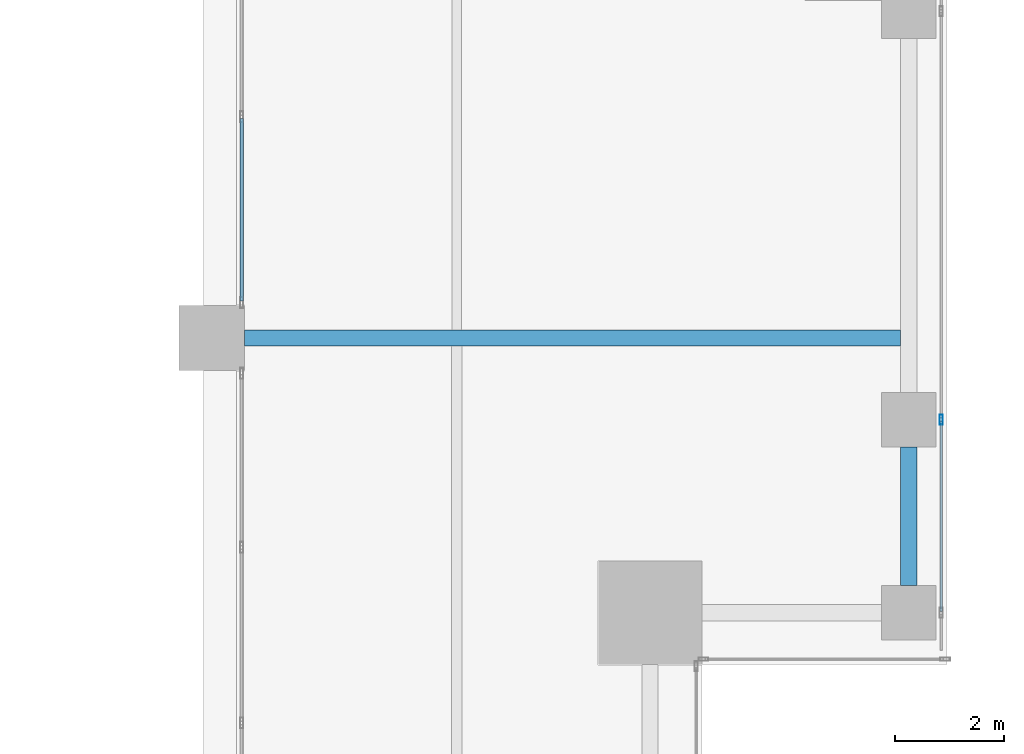
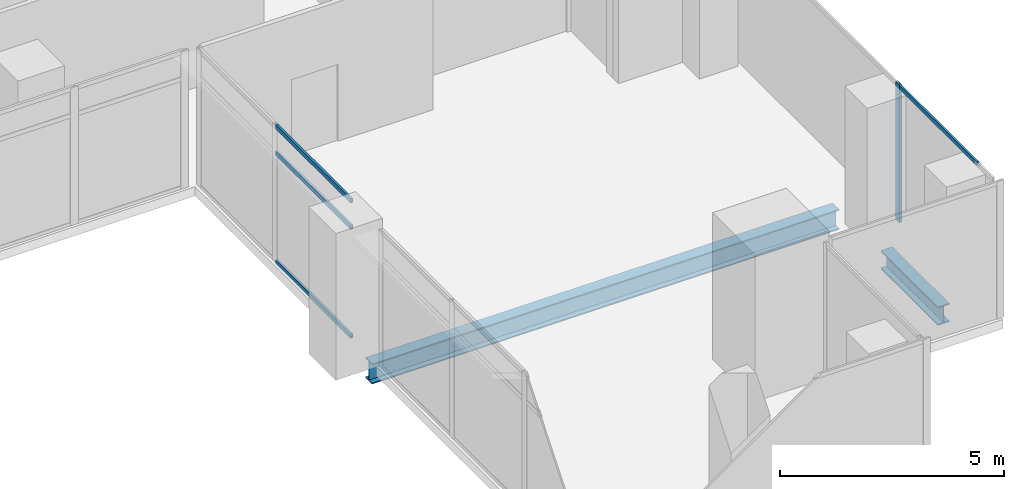
# One storey, part 11 of 37: 5 members, 2 beams, 2 elements without a shape of their own.
"""IFC4 building model written with IfcOpenShell, lengths in metres."""

from ifc_helpers import new_model, si_unit, direction, frame, origin, origin_2d, place, context, subcontext, project, spatial, hollow_rectangle, i_section, extrude, source, transform, mapped, material, material_profile, profile_set, type_object, element, aggregate, save


model = new_model("IFC4")

# Units and contexts
model_context = context("Model", 3, precision=1e-05, world=origin(), true_north=direction((0.0, 1.0)))
body_context = subcontext(model_context, "Body", "Model", "MODEL_VIEW")
ifc_project = project(units=[si_unit("LENGTHUNIT", "METRE"), si_unit("AREAUNIT", "SQUARE_METRE"), si_unit("VOLUMEUNIT", "CUBIC_METRE"), si_unit("PLANEANGLEUNIT", "RADIAN"), si_unit("MASSUNIT", "GRAM", prefix="KILO")], contexts=[model_context])

# Site, building, storey
site_placement = place(None, origin())
site = spatial("IfcSite", under=ifc_project, at=site_placement, CompositionType="ELEMENT")
building_placement = place(site_placement, origin())
building = spatial("IfcBuilding", under=site, at=building_placement, Name="Khomas Fold Tower", CompositionType="ELEMENT")
storey_placement = place(building_placement, frame((0.0, 0.0, 168.699951171875)))
storey = spatial("IfcBuildingStorey", under=building, at=storey_placement, Name="L36", CompositionType="ELEMENT", Elevation=168.699951171875)

# Beams
ifc_material_1 = material(Name="Steel S355", Category="steel")
ifc_material_profile_1 = material_profile(ifc_material_1, i_section(OverallWidth=0.300048828125, OverallDepth=0.5, WebThickness=0.014404296875, FlangeThickness=0.028076171875, at=origin_2d()), Name="HE 500 B")
ifc_profile_set_1 = profile_set([ifc_material_profile_1], Name="Steel S355")
beam_type_1 = type_object("IfcBeamType", Name="HE 500 B spandrel SB3", PredefinedType="SPANDREL", material=ifc_profile_set_1)
shared_shape_1 = source(origin(), body_context, "Body", "SweptSolid", [
    extrude(i_section(OverallWidth=0.300048828125, OverallDepth=0.5, WebThickness=0.014404296875, FlangeThickness=0.028076171875, at=origin_2d()), origin(), (0.0, 0.0, 1.0), 2.550048828125),
])
beam_1_placement = place(storey_placement, frame((50.300048828125, 8.949951171875, -0.5), z_axis=(0.0, 1.0, 0.0), x_axis=(-1.0, 0.0, 0.0)))
element("IfcBeam", 1, at=beam_1_placement, inside=storey, type_object=beam_type_1, Name="SB3", PredefinedType="SPANDREL", context=body_context, shape_type="MappedRepresentation", body=[
    mapped(shared_shape_1, transform((0.0, 0.0, 0.0))),
])
ifc_material_2 = material(Name="Steel S355", Category="steel")
ifc_material_profile_2 = material_profile(ifc_material_2, i_section(OverallWidth=0.300048828125, OverallDepth=0.550048828125, WebThickness=0.014892578125, FlangeThickness=0.029052734375, at=origin_2d()), Name="HE 550 B")
ifc_profile_set_2 = profile_set([ifc_material_profile_2], Name="Steel S355")
beam_type_2 = type_object("IfcBeamType", Name="HE 550 B beam GB4", PredefinedType="BEAM", material=ifc_profile_set_2)
shared_shape_2 = source(origin(), body_context, "Body", "SweptSolid", [
    extrude(i_section(OverallWidth=0.300048828125, OverallDepth=0.550048828125, WebThickness=0.014892578125, FlangeThickness=0.029052734375, at=origin_2d()), origin(), (0.0, 0.0, 1.0), 12.0498046875),
])
beam_2_placement = place(storey_placement, frame((38.10009765625, 13.5, -0.52490234375), z_axis=(1.0, 0.0, 0.0), x_axis=(0.0, 1.0, 0.0)))
element("IfcBeam", 2, at=beam_2_placement, inside=storey, type_object=beam_type_2, Name="GB4", PredefinedType="BEAM", context=body_context, shape_type="MappedRepresentation", body=[
    mapped(shared_shape_2, transform((0.0, 0.0, 0.0))),
])

# Curtain wall, members
ifc_material_3 = material(Name="Aluminium framed double glazing", Category="aluminium")
curtain_wall_type_1 = type_object("IfcCurtainWallType", Name="SK-Unitised clear-glass wall, office floors CW2", PredefinedType="NOTDEFINED", material=ifc_material_3)
curtain_wall_1_placement = place(storey_placement, origin())
curtain_wall_1 = element("IfcCurtainWall", 3, at=curtain_wall_1_placement, inside=storey, type_object=curtain_wall_type_1, Name="CW2 run L36 08-0", PredefinedType="NOTDEFINED")
ifc_material_4 = material(Name="Aluminium", Category="aluminium")
ifc_material_profile_3 = material_profile(ifc_material_4, hollow_rectangle(XDim=0.06005859375, YDim=0.179931640625, WallThickness=0.00390625, at=origin_2d()), Name="SK-Unitised clear-glass wall, office floors mullion CW2-M")
ifc_profile_set_3 = profile_set([ifc_material_profile_3], Name="Aluminium")
member_type_1 = type_object("IfcMemberType", Name="SK-Unitised clear-glass wall, office floors mullion CW2-M", PredefinedType="MULLION", material=ifc_profile_set_3)
shared_shape_3 = source(origin(), body_context, "Body", "SweptSolid", [
    extrude(hollow_rectangle(XDim=0.06005859375, YDim=0.179931640625, WallThickness=0.00390625, at=origin_2d()), origin(), (0.0, 0.0, 1.0), 3.75),
])
member_1_placement = place(storey_placement, frame((50.89990234375, 12.0, 0.0), z_axis=(0.0, 0.0, 1.0), x_axis=(-1.0, 0.0, 0.0)))
member_1 = element("IfcMember", 4, at=member_1_placement, type_object=member_type_1, Name="CW2 mullion 3", PredefinedType="MULLION", context=body_context, shape_type="MappedRepresentation", body=[
    mapped(shared_shape_3, transform((0.0, 0.0, 0.0))),
])
ifc_material_5 = material(Name="Aluminium", Category="aluminium")
ifc_material_profile_4 = material_profile(ifc_material_5, hollow_rectangle(XDim=0.050048828125, YDim=0.110107421875, WallThickness=0.00390625, at=origin_2d()), Name="SK-Unitised clear-glass wall, office floors transom CW2-T")
ifc_profile_set_4 = profile_set([ifc_material_profile_4], Name="Aluminium")
member_type_2 = type_object("IfcMemberType", Name="SK-Unitised clear-glass wall, office floors transom CW2-T", PredefinedType="USERDEFINED", material=ifc_profile_set_4)
shared_shape_4 = source(origin(), body_context, "Body", "SweptSolid", [
    extrude(hollow_rectangle(XDim=0.050048828125, YDim=0.110107421875, WallThickness=0.00390625, at=origin_2d()), origin(), (0.0, 0.0, 1.0), 3.489990234375),
])
member_2_placement = place(storey_placement, frame((50.89990234375, 8.47998046875, 3.695068359375), z_axis=(0.0, 1.0, 0.0), x_axis=(-1.0, 0.0, 0.0)))
member_2 = element("IfcMember", 5, at=member_2_placement, type_object=member_type_2, Name="CW2 transom 2", ObjectType="TRANSOM", PredefinedType="USERDEFINED", context=body_context, shape_type="MappedRepresentation", body=[
    mapped(shared_shape_4, transform((0.0, 0.0, 0.0))),
])
aggregate(curtain_wall_1, [member_1, member_2])

ifc_material_6 = material(Name="Aluminium framed double glazing", Category="aluminium")
curtain_wall_type_2 = type_object("IfcCurtainWallType", Name="Notch glazing GN-CW", PredefinedType="NOTDEFINED", material=ifc_material_6)
curtain_wall_2_placement = place(storey_placement, origin())
curtain_wall_2 = element("IfcCurtainWall", 6, at=curtain_wall_2_placement, inside=storey, type_object=curtain_wall_type_2, Name="Notch glazing run", PredefinedType="NOTDEFINED")
ifc_material_7 = material(Name="Aluminium", Category="aluminium")
ifc_material_profile_5 = material_profile(ifc_material_7, hollow_rectangle(XDim=0.06005859375, YDim=0.1201171875, WallThickness=0.00390625, at=origin_2d()), Name="Notch glazing transom GN-CW-T")
ifc_profile_set_5 = profile_set([ifc_material_profile_5], Name="Aluminium")
member_type_3 = type_object("IfcMemberType", Name="Notch glazing transom GN-CW-T", PredefinedType="USERDEFINED", material=ifc_profile_set_5)
shared_shape_5 = source(origin(), body_context, "Body", "SweptSolid", [
    extrude(hollow_rectangle(XDim=0.06005859375, YDim=0.1201171875, WallThickness=0.00390625, at=origin_2d()), origin(), (0.0, 0.0, 1.0), 3.35009765625),
])
member_3_placement = place(storey_placement, frame((38.050048828125, 17.530029296875, 0.030029296875), z_axis=(0.0, -1.0, 0.0), x_axis=(1.0, 0.0, 0.0)))
member_3 = element("IfcMember", 7, at=member_3_placement, type_object=member_type_3, Name="GN-CW transom 2.1", ObjectType="TRANSOM", PredefinedType="USERDEFINED", context=body_context, shape_type="MappedRepresentation", body=[
    mapped(shared_shape_5, transform((0.0, 0.0, 0.0))),
])
member_4_placement = place(storey_placement, frame((38.050048828125, 17.530029296875, 3.0), z_axis=(0.0, -1.0, 0.0), x_axis=(1.0, 0.0, 0.0)))
member_4 = element("IfcMember", 8, at=member_4_placement, type_object=member_type_3, Name="GN-CW transom 2.2", ObjectType="TRANSOM", PredefinedType="USERDEFINED", context=body_context, shape_type="MappedRepresentation", body=[
    mapped(shared_shape_5, transform((0.0, 0.0, 0.0))),
])
member_5_placement = place(storey_placement, frame((38.050048828125, 17.530029296875, 3.719970703125), z_axis=(0.0, -1.0, 0.0), x_axis=(1.0, 0.0, 0.0)))
member_5 = element("IfcMember", 9, at=member_5_placement, type_object=member_type_3, Name="GN-CW transom 2.3", ObjectType="TRANSOM", PredefinedType="USERDEFINED", context=body_context, shape_type="MappedRepresentation", body=[
    mapped(shared_shape_5, transform((0.0, 0.0, 0.0))),
])
aggregate(curtain_wall_2, [member_3, member_4, member_5])

save(model, "model.ifc")
